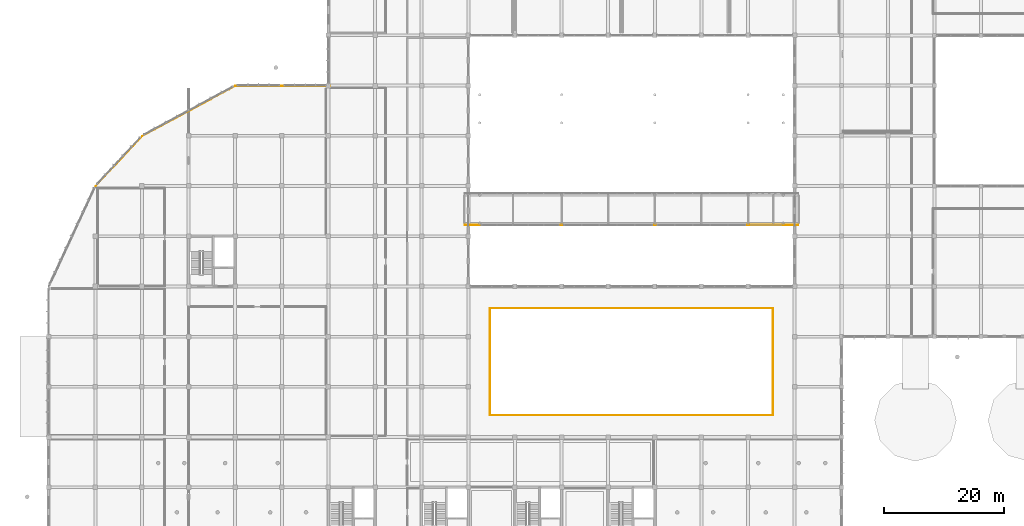
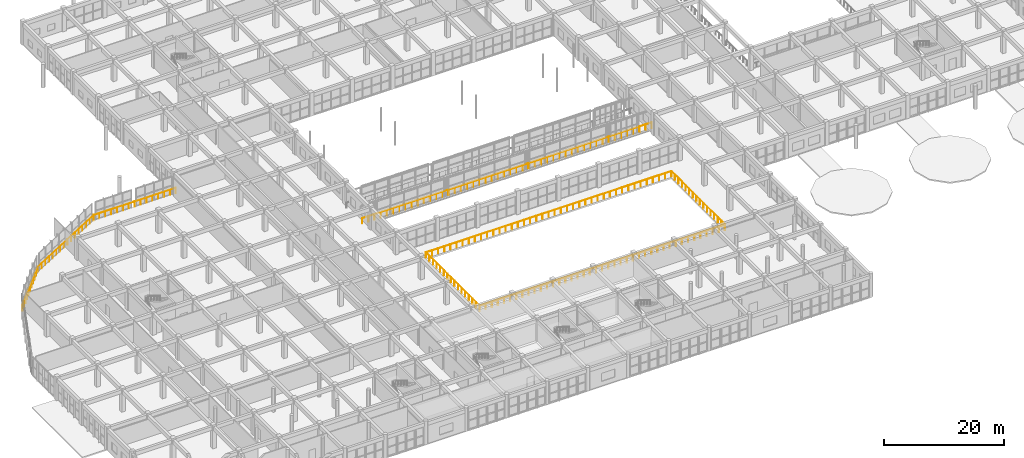
# One storey, part 172 of 175: 8 railings.
"""IFC4 building model written with IfcOpenShell, lengths in metres."""

from ifc_helpers import new_model, si_unit, direction, frame, origin, origin_2d, place, context, subcontext, project, spatial, hollow_rectangle, circle, extrude, material, material_profile, profile_set, type_object, element, save


model = new_model("IFC4")

# Units and contexts
model_context = context("Model", 3, precision=1e-05, world=origin(), true_north=direction((0.0, 1.0)))
body_context = subcontext(model_context, "Body", "Model", "MODEL_VIEW")
ifc_project = project(units=[si_unit("LENGTHUNIT", "METRE"), si_unit("AREAUNIT", "SQUARE_METRE"), si_unit("VOLUMEUNIT", "CUBIC_METRE"), si_unit("PLANEANGLEUNIT", "RADIAN"), si_unit("MASSUNIT", "GRAM", prefix="KILO")], contexts=[model_context])

# Site, building, storey
site_placement = place(None, origin())
site = spatial("IfcSite", under=ifc_project, at=site_placement, CompositionType="ELEMENT")
building_placement = place(site_placement, origin())
building = spatial("IfcBuilding", under=site, at=building_placement, Name="Zizhar Promenade General Hospital", CompositionType="ELEMENT")
storey_placement = place(building_placement, frame((0.0, 0.0, 4.800048828125)))
storey = spatial("IfcBuildingStorey", under=building, at=storey_placement, Name="L01", CompositionType="ELEMENT", Elevation=4.800048828125)

# Railings
ifc_material_1 = material(Name="Anodised aluminium 6063-T6 and glass", Category="aluminium")
ifc_material_profile_1 = material_profile(ifc_material_1, hollow_rectangle(XDim=0.06005859375, YDim=0.1201171875, WallThickness=0.00390625, at=origin_2d()))
ifc_profile_set_1 = profile_set([ifc_material_profile_1], Name="Anodised aluminium 6063-T6 and glass")
railing_type_1 = type_object("IfcRailingType", Name="RL-ATRIUM-GUARD-1150", PredefinedType="GUARDRAIL", material=ifc_profile_set_1)
railing_1_placement = place(storey_placement, frame((73.85009765625, 28.85009765625, 0.0)))
element("IfcRailing", 1, at=railing_1_placement, inside=storey, type_object=railing_type_1, Name="Main Hall Atrium Void Guardrail L01-1", PredefinedType="GUARDRAIL", context=body_context, shape_type="SweptSolid", body=[
    extrude(circle(Radius=0.02392578125, at=origin_2d()), frame((0.0, 0.0, 1.1259765625), z_axis=(1.0, 0.0, 0.0), x_axis=(0.0, 1.0, 0.0)), (0.0, 0.0, 1.0), 47.2998046875),
    extrude(circle(Radius=0.02099609375, at=origin_2d()), origin(), (0.0, 0.0, 1.0), 1.101806640625),
    extrude(circle(Radius=0.02099609375, at=origin_2d()), frame((1.1826171875, 0.0, 0.0)), (0.0, 0.0, 1.0), 1.101806640625),
    extrude(circle(Radius=0.02099609375, at=origin_2d()), frame((2.364990234375, 0.0, 0.0)), (0.0, 0.0, 1.0), 1.101806640625),
    extrude(circle(Radius=0.02099609375, at=origin_2d()), frame((3.54736328125, 0.0, 0.0)), (0.0, 0.0, 1.0), 1.101806640625),
    extrude(circle(Radius=0.02099609375, at=origin_2d()), frame((4.72998046875, 0.0, 0.0)), (0.0, 0.0, 1.0), 1.101806640625),
    extrude(circle(Radius=0.02099609375, at=origin_2d()), frame((5.91259765625, 0.0, 0.0)), (0.0, 0.0, 1.0), 1.101806640625),
    extrude(circle(Radius=0.02099609375, at=origin_2d()), frame((7.094970703125, 0.0, 0.0)), (0.0, 0.0, 1.0), 1.101806640625),
    extrude(circle(Radius=0.02099609375, at=origin_2d()), frame((8.27734375, 0.0, 0.0)), (0.0, 0.0, 1.0), 1.101806640625),
    extrude(circle(Radius=0.02099609375, at=origin_2d()), frame((9.4599609375, 0.0, 0.0)), (0.0, 0.0, 1.0), 1.101806640625),
    extrude(circle(Radius=0.02099609375, at=origin_2d()), frame((10.642578125, 0.0, 0.0)), (0.0, 0.0, 1.0), 1.101806640625),
    extrude(circle(Radius=0.02099609375, at=origin_2d()), frame((11.824951171875, 0.0, 0.0)), (0.0, 0.0, 1.0), 1.101806640625),
    extrude(circle(Radius=0.02099609375, at=origin_2d()), frame((13.007568359375, 0.0, 0.0)), (0.0, 0.0, 1.0), 1.101806640625),
    extrude(circle(Radius=0.02099609375, at=origin_2d()), frame((14.18994140625, 0.0, 0.0)), (0.0, 0.0, 1.0), 1.101806640625),
    extrude(circle(Radius=0.02099609375, at=origin_2d()), frame((15.37255859375, 0.0, 0.0)), (0.0, 0.0, 1.0), 1.101806640625),
    extrude(circle(Radius=0.02099609375, at=origin_2d()), frame((16.554931640625, 0.0, 0.0)), (0.0, 0.0, 1.0), 1.101806640625),
    extrude(circle(Radius=0.02099609375, at=origin_2d()), frame((17.7373046875, 0.0, 0.0)), (0.0, 0.0, 1.0), 1.101806640625),
    extrude(circle(Radius=0.02099609375, at=origin_2d()), frame((18.919921875, 0.0, 0.0)), (0.0, 0.0, 1.0), 1.101806640625),
    extrude(circle(Radius=0.02099609375, at=origin_2d()), frame((20.1025390625, 0.0, 0.0)), (0.0, 0.0, 1.0), 1.101806640625),
    extrude(circle(Radius=0.02099609375, at=origin_2d()), frame((21.284912109375, 0.0, 0.0)), (0.0, 0.0, 1.0), 1.101806640625),
    extrude(circle(Radius=0.02099609375, at=origin_2d()), frame((22.46728515625, 0.0, 0.0)), (0.0, 0.0, 1.0), 1.101806640625),
    extrude(circle(Radius=0.02099609375, at=origin_2d()), frame((23.64990234375, 0.0, 0.0)), (0.0, 0.0, 1.0), 1.101806640625),
    extrude(circle(Radius=0.02099609375, at=origin_2d()), frame((24.83251953125, 0.0, 0.0)), (0.0, 0.0, 1.0), 1.101806640625),
    extrude(circle(Radius=0.02099609375, at=origin_2d()), frame((26.014892578125, 0.0, 0.0)), (0.0, 0.0, 1.0), 1.101806640625),
    extrude(circle(Radius=0.02099609375, at=origin_2d()), frame((27.197265625, 0.0, 0.0)), (0.0, 0.0, 1.0), 1.101806640625),
    extrude(circle(Radius=0.02099609375, at=origin_2d()), frame((28.3798828125, 0.0, 0.0)), (0.0, 0.0, 1.0), 1.101806640625),
    extrude(circle(Radius=0.02099609375, at=origin_2d()), frame((29.5625, 0.0, 0.0)), (0.0, 0.0, 1.0), 1.101806640625),
    extrude(circle(Radius=0.02099609375, at=origin_2d()), frame((30.744873046875, 0.0, 0.0)), (0.0, 0.0, 1.0), 1.101806640625),
    extrude(circle(Radius=0.02099609375, at=origin_2d()), frame((31.927490234375, 0.0, 0.0)), (0.0, 0.0, 1.0), 1.101806640625),
    extrude(circle(Radius=0.02099609375, at=origin_2d()), frame((33.10986328125, 0.0, 0.0)), (0.0, 0.0, 1.0), 1.101806640625),
    extrude(circle(Radius=0.02099609375, at=origin_2d()), frame((34.29248046875, 0.0, 0.0)), (0.0, 0.0, 1.0), 1.101806640625),
    extrude(circle(Radius=0.02099609375, at=origin_2d()), frame((35.474853515625, 0.0, 0.0)), (0.0, 0.0, 1.0), 1.101806640625),
    extrude(circle(Radius=0.02099609375, at=origin_2d()), frame((36.6572265625, 0.0, 0.0)), (0.0, 0.0, 1.0), 1.101806640625),
    extrude(circle(Radius=0.02099609375, at=origin_2d()), frame((37.83984375, 0.0, 0.0)), (0.0, 0.0, 1.0), 1.101806640625),
    extrude(circle(Radius=0.02099609375, at=origin_2d()), frame((39.0224609375, 0.0, 0.0)), (0.0, 0.0, 1.0), 1.101806640625),
    extrude(circle(Radius=0.02099609375, at=origin_2d()), frame((40.204833984375, 0.0, 0.0)), (0.0, 0.0, 1.0), 1.101806640625),
    extrude(circle(Radius=0.02099609375, at=origin_2d()), frame((41.38720703125, 0.0, 0.0)), (0.0, 0.0, 1.0), 1.101806640625),
    extrude(circle(Radius=0.02099609375, at=origin_2d()), frame((42.56982421875, 0.0, 0.0)), (0.0, 0.0, 1.0), 1.101806640625),
    extrude(circle(Radius=0.02099609375, at=origin_2d()), frame((43.75244140625, 0.0, 0.0)), (0.0, 0.0, 1.0), 1.101806640625),
    extrude(circle(Radius=0.02099609375, at=origin_2d()), frame((44.934814453125, 0.0, 0.0)), (0.0, 0.0, 1.0), 1.101806640625),
    extrude(circle(Radius=0.02099609375, at=origin_2d()), frame((46.1171875, 0.0, 0.0)), (0.0, 0.0, 1.0), 1.101806640625),
    extrude(circle(Radius=0.02099609375, at=origin_2d()), frame((47.2998046875, 0.0, 0.0)), (0.0, 0.0, 1.0), 1.101806640625),
])
railing_2_placement = place(storey_placement, frame((121.14990234375, 28.85009765625, 0.0)))
element("IfcRailing", 2, at=railing_2_placement, inside=storey, type_object=railing_type_1, Name="Main Hall Atrium Void Guardrail L01-2", PredefinedType="GUARDRAIL", context=body_context, shape_type="SweptSolid", body=[
    extrude(circle(Radius=0.02392578125, at=origin_2d()), frame((0.0, 0.0, 1.1259765625), z_axis=(0.0, 1.0, 0.0), x_axis=(-1.0, 0.0, 0.0)), (0.0, 0.0, 1.0), 17.89990234375),
    extrude(circle(Radius=0.02099609375, at=origin_2d()), origin(), (0.0, 0.0, 1.0), 1.101806640625),
    extrude(circle(Radius=0.02099609375, at=origin_2d()), frame((0.0, 1.193359375, 0.0)), (0.0, 0.0, 1.0), 1.101806640625),
    extrude(circle(Radius=0.02099609375, at=origin_2d()), frame((0.0, 2.38671875, 0.0)), (0.0, 0.0, 1.0), 1.101806640625),
    extrude(circle(Radius=0.02099609375, at=origin_2d()), frame((0.0, 3.580078125, 0.0)), (0.0, 0.0, 1.0), 1.101806640625),
    extrude(circle(Radius=0.02099609375, at=origin_2d()), frame((0.0, 4.773193359375, 0.0)), (0.0, 0.0, 1.0), 1.101806640625),
    extrude(circle(Radius=0.02099609375, at=origin_2d()), frame((0.0, 5.966552734375, 0.0)), (0.0, 0.0, 1.0), 1.101806640625),
    extrude(circle(Radius=0.02099609375, at=origin_2d()), frame((0.0, 7.159912109375, 0.0)), (0.0, 0.0, 1.0), 1.101806640625),
    extrude(circle(Radius=0.02099609375, at=origin_2d()), frame((0.0, 8.353271484375, 0.0)), (0.0, 0.0, 1.0), 1.101806640625),
    extrude(circle(Radius=0.02099609375, at=origin_2d()), frame((0.0, 9.546630859375, 0.0)), (0.0, 0.0, 1.0), 1.101806640625),
    extrude(circle(Radius=0.02099609375, at=origin_2d()), frame((0.0, 10.739990234375, 0.0)), (0.0, 0.0, 1.0), 1.101806640625),
    extrude(circle(Radius=0.02099609375, at=origin_2d()), frame((0.0, 11.933349609375, 0.0)), (0.0, 0.0, 1.0), 1.101806640625),
    extrude(circle(Radius=0.02099609375, at=origin_2d()), frame((0.0, 13.126708984375, 0.0)), (0.0, 0.0, 1.0), 1.101806640625),
    extrude(circle(Radius=0.02099609375, at=origin_2d()), frame((0.0, 14.31982421875, 0.0)), (0.0, 0.0, 1.0), 1.101806640625),
    extrude(circle(Radius=0.02099609375, at=origin_2d()), frame((0.0, 15.51318359375, 0.0)), (0.0, 0.0, 1.0), 1.101806640625),
    extrude(circle(Radius=0.02099609375, at=origin_2d()), frame((0.0, 16.70654296875, 0.0)), (0.0, 0.0, 1.0), 1.101806640625),
    extrude(circle(Radius=0.02099609375, at=origin_2d()), frame((0.0, 17.89990234375, 0.0)), (0.0, 0.0, 1.0), 1.101806640625),
])
railing_3_placement = place(storey_placement, frame((121.14990234375, 46.75, 0.0)))
element("IfcRailing", 3, at=railing_3_placement, inside=storey, type_object=railing_type_1, Name="Main Hall Atrium Void Guardrail L01-3", PredefinedType="GUARDRAIL", context=body_context, shape_type="SweptSolid", body=[
    extrude(circle(Radius=0.02392578125, at=origin_2d()), frame((0.0, 0.0, 1.1259765625), z_axis=(-1.0, 0.0, 0.0), x_axis=(0.0, -1.0, 0.0)), (0.0, 0.0, 1.0), 47.2998046875),
    extrude(circle(Radius=0.02099609375, at=origin_2d()), origin(), (0.0, 0.0, 1.0), 1.101806640625),
    extrude(circle(Radius=0.02099609375, at=origin_2d()), frame((-1.1826171875, 0.0, 0.0)), (0.0, 0.0, 1.0), 1.101806640625),
    extrude(circle(Radius=0.02099609375, at=origin_2d()), frame((-2.364990234375, 0.0, 0.0)), (0.0, 0.0, 1.0), 1.101806640625),
    extrude(circle(Radius=0.02099609375, at=origin_2d()), frame((-3.54736328125, 0.0, 0.0)), (0.0, 0.0, 1.0), 1.101806640625),
    extrude(circle(Radius=0.02099609375, at=origin_2d()), frame((-4.72998046875, 0.0, 0.0)), (0.0, 0.0, 1.0), 1.101806640625),
    extrude(circle(Radius=0.02099609375, at=origin_2d()), frame((-5.91259765625, 0.0, 0.0)), (0.0, 0.0, 1.0), 1.101806640625),
    extrude(circle(Radius=0.02099609375, at=origin_2d()), frame((-7.094970703125, 0.0, 0.0)), (0.0, 0.0, 1.0), 1.101806640625),
    extrude(circle(Radius=0.02099609375, at=origin_2d()), frame((-8.27734375, 0.0, 0.0)), (0.0, 0.0, 1.0), 1.101806640625),
    extrude(circle(Radius=0.02099609375, at=origin_2d()), frame((-9.4599609375, 0.0, 0.0)), (0.0, 0.0, 1.0), 1.101806640625),
    extrude(circle(Radius=0.02099609375, at=origin_2d()), frame((-10.642578125, 0.0, 0.0)), (0.0, 0.0, 1.0), 1.101806640625),
    extrude(circle(Radius=0.02099609375, at=origin_2d()), frame((-11.824951171875, 0.0, 0.0)), (0.0, 0.0, 1.0), 1.101806640625),
    extrude(circle(Radius=0.02099609375, at=origin_2d()), frame((-13.007568359375, 0.0, 0.0)), (0.0, 0.0, 1.0), 1.101806640625),
    extrude(circle(Radius=0.02099609375, at=origin_2d()), frame((-14.18994140625, 0.0, 0.0)), (0.0, 0.0, 1.0), 1.101806640625),
    extrude(circle(Radius=0.02099609375, at=origin_2d()), frame((-15.37255859375, 0.0, 0.0)), (0.0, 0.0, 1.0), 1.101806640625),
    extrude(circle(Radius=0.02099609375, at=origin_2d()), frame((-16.554931640625, 0.0, 0.0)), (0.0, 0.0, 1.0), 1.101806640625),
    extrude(circle(Radius=0.02099609375, at=origin_2d()), frame((-17.7373046875, 0.0, 0.0)), (0.0, 0.0, 1.0), 1.101806640625),
    extrude(circle(Radius=0.02099609375, at=origin_2d()), frame((-18.919921875, 0.0, 0.0)), (0.0, 0.0, 1.0), 1.101806640625),
    extrude(circle(Radius=0.02099609375, at=origin_2d()), frame((-20.1025390625, 0.0, 0.0)), (0.0, 0.0, 1.0), 1.101806640625),
    extrude(circle(Radius=0.02099609375, at=origin_2d()), frame((-21.284912109375, 0.0, 0.0)), (0.0, 0.0, 1.0), 1.101806640625),
    extrude(circle(Radius=0.02099609375, at=origin_2d()), frame((-22.46728515625, 0.0, 0.0)), (0.0, 0.0, 1.0), 1.101806640625),
    extrude(circle(Radius=0.02099609375, at=origin_2d()), frame((-23.64990234375, 0.0, 0.0)), (0.0, 0.0, 1.0), 1.101806640625),
    extrude(circle(Radius=0.02099609375, at=origin_2d()), frame((-24.83251953125, 0.0, 0.0)), (0.0, 0.0, 1.0), 1.101806640625),
    extrude(circle(Radius=0.02099609375, at=origin_2d()), frame((-26.014892578125, 0.0, 0.0)), (0.0, 0.0, 1.0), 1.101806640625),
    extrude(circle(Radius=0.02099609375, at=origin_2d()), frame((-27.197265625, 0.0, 0.0)), (0.0, 0.0, 1.0), 1.101806640625),
    extrude(circle(Radius=0.02099609375, at=origin_2d()), frame((-28.3798828125, 0.0, 0.0)), (0.0, 0.0, 1.0), 1.101806640625),
    extrude(circle(Radius=0.02099609375, at=origin_2d()), frame((-29.5625, 0.0, 0.0)), (0.0, 0.0, 1.0), 1.101806640625),
    extrude(circle(Radius=0.02099609375, at=origin_2d()), frame((-30.744873046875, 0.0, 0.0)), (0.0, 0.0, 1.0), 1.101806640625),
    extrude(circle(Radius=0.02099609375, at=origin_2d()), frame((-31.927490234375, 0.0, 0.0)), (0.0, 0.0, 1.0), 1.101806640625),
    extrude(circle(Radius=0.02099609375, at=origin_2d()), frame((-33.10986328125, 0.0, 0.0)), (0.0, 0.0, 1.0), 1.101806640625),
    extrude(circle(Radius=0.02099609375, at=origin_2d()), frame((-34.29248046875, 0.0, 0.0)), (0.0, 0.0, 1.0), 1.101806640625),
    extrude(circle(Radius=0.02099609375, at=origin_2d()), frame((-35.474853515625, 0.0, 0.0)), (0.0, 0.0, 1.0), 1.101806640625),
    extrude(circle(Radius=0.02099609375, at=origin_2d()), frame((-36.6572265625, 0.0, 0.0)), (0.0, 0.0, 1.0), 1.101806640625),
    extrude(circle(Radius=0.02099609375, at=origin_2d()), frame((-37.83984375, 0.0, 0.0)), (0.0, 0.0, 1.0), 1.101806640625),
    extrude(circle(Radius=0.02099609375, at=origin_2d()), frame((-39.0224609375, 0.0, 0.0)), (0.0, 0.0, 1.0), 1.101806640625),
    extrude(circle(Radius=0.02099609375, at=origin_2d()), frame((-40.204833984375, 0.0, 0.0)), (0.0, 0.0, 1.0), 1.101806640625),
    extrude(circle(Radius=0.02099609375, at=origin_2d()), frame((-41.38720703125, 0.0, 0.0)), (0.0, 0.0, 1.0), 1.101806640625),
    extrude(circle(Radius=0.02099609375, at=origin_2d()), frame((-42.56982421875, 0.0, 0.0)), (0.0, 0.0, 1.0), 1.101806640625),
    extrude(circle(Radius=0.02099609375, at=origin_2d()), frame((-43.75244140625, 0.0, 0.0)), (0.0, 0.0, 1.0), 1.101806640625),
    extrude(circle(Radius=0.02099609375, at=origin_2d()), frame((-44.934814453125, 0.0, 0.0)), (0.0, 0.0, 1.0), 1.101806640625),
    extrude(circle(Radius=0.02099609375, at=origin_2d()), frame((-46.1171875, 0.0, 0.0)), (0.0, 0.0, 1.0), 1.101806640625),
    extrude(circle(Radius=0.02099609375, at=origin_2d()), frame((-47.2998046875, 0.0, 0.0)), (0.0, 0.0, 1.0), 1.101806640625),
])
railing_4_placement = place(storey_placement, frame((73.85009765625, 46.75, 0.0)))
element("IfcRailing", 4, at=railing_4_placement, inside=storey, type_object=railing_type_1, Name="Main Hall Atrium Void Guardrail L01-4", PredefinedType="GUARDRAIL", context=body_context, shape_type="SweptSolid", body=[
    extrude(circle(Radius=0.02392578125, at=origin_2d()), frame((0.0, 0.0, 1.1259765625), z_axis=(0.0, -1.0, 0.0), x_axis=(1.0, 0.0, 0.0)), (0.0, 0.0, 1.0), 17.89990234375),
    extrude(circle(Radius=0.02099609375, at=origin_2d()), origin(), (0.0, 0.0, 1.0), 1.101806640625),
    extrude(circle(Radius=0.02099609375, at=origin_2d()), frame((0.0, -1.193359375, 0.0)), (0.0, 0.0, 1.0), 1.101806640625),
    extrude(circle(Radius=0.02099609375, at=origin_2d()), frame((0.0, -2.38671875, 0.0)), (0.0, 0.0, 1.0), 1.101806640625),
    extrude(circle(Radius=0.02099609375, at=origin_2d()), frame((0.0, -3.580078125, 0.0)), (0.0, 0.0, 1.0), 1.101806640625),
    extrude(circle(Radius=0.02099609375, at=origin_2d()), frame((0.0, -4.773193359375, 0.0)), (0.0, 0.0, 1.0), 1.101806640625),
    extrude(circle(Radius=0.02099609375, at=origin_2d()), frame((0.0, -5.966552734375, 0.0)), (0.0, 0.0, 1.0), 1.101806640625),
    extrude(circle(Radius=0.02099609375, at=origin_2d()), frame((0.0, -7.159912109375, 0.0)), (0.0, 0.0, 1.0), 1.101806640625),
    extrude(circle(Radius=0.02099609375, at=origin_2d()), frame((0.0, -8.353271484375, 0.0)), (0.0, 0.0, 1.0), 1.101806640625),
    extrude(circle(Radius=0.02099609375, at=origin_2d()), frame((0.0, -9.546630859375, 0.0)), (0.0, 0.0, 1.0), 1.101806640625),
    extrude(circle(Radius=0.02099609375, at=origin_2d()), frame((0.0, -10.739990234375, 0.0)), (0.0, 0.0, 1.0), 1.101806640625),
    extrude(circle(Radius=0.02099609375, at=origin_2d()), frame((0.0, -11.933349609375, 0.0)), (0.0, 0.0, 1.0), 1.101806640625),
    extrude(circle(Radius=0.02099609375, at=origin_2d()), frame((0.0, -13.126708984375, 0.0)), (0.0, 0.0, 1.0), 1.101806640625),
    extrude(circle(Radius=0.02099609375, at=origin_2d()), frame((0.0, -14.31982421875, 0.0)), (0.0, 0.0, 1.0), 1.101806640625),
    extrude(circle(Radius=0.02099609375, at=origin_2d()), frame((0.0, -15.51318359375, 0.0)), (0.0, 0.0, 1.0), 1.101806640625),
    extrude(circle(Radius=0.02099609375, at=origin_2d()), frame((0.0, -16.70654296875, 0.0)), (0.0, 0.0, 1.0), 1.101806640625),
    extrude(circle(Radius=0.02099609375, at=origin_2d()), frame((0.0, -17.89990234375, 0.0)), (0.0, 0.0, 1.0), 1.101806640625),
])
ifc_material_2 = material(Name="Steel S355", Category="steel")
ifc_material_profile_2 = material_profile(ifc_material_2, hollow_rectangle(XDim=0.06005859375, YDim=0.1201171875, WallThickness=0.00390625, at=origin_2d()))
ifc_profile_set_2 = profile_set([ifc_material_profile_2], Name="Steel S355")
railing_type_2 = type_object("IfcRailingType", Name="RL-GUARD-EXT-1150", PredefinedType="GUARDRAIL", material=ifc_profile_set_2)
railing_5_placement = place(storey_placement, frame((7.860107421875, 67.14990234375, 0.0)))
element("IfcRailing", 5, at=railing_5_placement, inside=storey, type_object=railing_type_2, Name="Perimeter Safety Guardrail L01-03", PredefinedType="GUARDRAIL", context=body_context, shape_type="SweptSolid", body=[
    extrude(circle(Radius=0.02392578125, at=origin_2d()), frame((0.0, 0.0, 1.1259765625), z_axis=(0.680871152202, 0.732403218247, 0.0), x_axis=(-0.732403218247, 0.680871152202, 0.0)), (0.0, 0.0, 1.0), 11.45556640625),
    extrude(circle(Radius=0.02099609375, at=origin_2d()), origin(), (0.0, 0.0, 1.0), 1.101806640625),
    extrude(circle(Radius=0.02099609375, at=origin_2d()), frame((0.780029296875, 0.839111328125, 0.0)), (0.0, 0.0, 1.0), 1.101806640625),
    extrude(circle(Radius=0.02099609375, at=origin_2d()), frame((1.56005859375, 1.677978515625, 0.0)), (0.0, 0.0, 1.0), 1.101806640625),
    extrude(circle(Radius=0.02099609375, at=origin_2d()), frame((2.33984375, 2.51708984375, 0.0)), (0.0, 0.0, 1.0), 1.101806640625),
    extrude(circle(Radius=0.02099609375, at=origin_2d()), frame((3.119873046875, 3.35595703125, 0.0)), (0.0, 0.0, 1.0), 1.101806640625),
    extrude(circle(Radius=0.02099609375, at=origin_2d()), frame((3.89990234375, 4.195068359375, 0.0)), (0.0, 0.0, 1.0), 1.101806640625),
    extrude(circle(Radius=0.02099609375, at=origin_2d()), frame((4.679931640625, 5.0341796875, 0.0)), (0.0, 0.0, 1.0), 1.101806640625),
    extrude(circle(Radius=0.02099609375, at=origin_2d()), frame((5.4599609375, 5.873046875, 0.0)), (0.0, 0.0, 1.0), 1.101806640625),
    extrude(circle(Radius=0.02099609375, at=origin_2d()), frame((6.23974609375, 6.712158203125, 0.0)), (0.0, 0.0, 1.0), 1.101806640625),
    extrude(circle(Radius=0.02099609375, at=origin_2d()), frame((7.019775390625, 7.551025390625, 0.0)), (0.0, 0.0, 1.0), 1.101806640625),
    extrude(circle(Radius=0.02099609375, at=origin_2d()), frame((7.7998046875, 8.39013671875, 0.0)), (0.0, 0.0, 1.0), 1.101806640625),
])
railing_6_placement = place(storey_placement, frame((15.659912109375, 75.5400390625, 0.0)))
element("IfcRailing", 6, at=railing_6_placement, inside=storey, type_object=railing_type_2, Name="Perimeter Safety Guardrail L01-04", PredefinedType="GUARDRAIL", context=body_context, shape_type="SweptSolid", body=[
    extrude(circle(Radius=0.02392578125, at=origin_2d()), frame((0.0, 0.0, 1.1259765625), z_axis=(0.880438273094, 0.474160782089, 0.0), x_axis=(-0.474160782089, 0.880438273094, 0.0)), (0.0, 0.0, 1.0), 17.673095703125),
    extrude(circle(Radius=0.02099609375, at=origin_2d()), origin(), (0.0, 0.0, 1.0), 1.101806640625),
    extrude(circle(Radius=0.02099609375, at=origin_2d()), frame((1.037353515625, 0.55859375, 0.0)), (0.0, 0.0, 1.0), 1.101806640625),
    extrude(circle(Radius=0.02099609375, at=origin_2d()), frame((2.07470703125, 1.117431640625, 0.0)), (0.0, 0.0, 1.0), 1.101806640625),
    extrude(circle(Radius=0.02099609375, at=origin_2d()), frame((3.112060546875, 1.676025390625, 0.0)), (0.0, 0.0, 1.0), 1.101806640625),
    extrude(circle(Radius=0.02099609375, at=origin_2d()), frame((4.1494140625, 2.234619140625, 0.0)), (0.0, 0.0, 1.0), 1.101806640625),
    extrude(circle(Radius=0.02099609375, at=origin_2d()), frame((5.186767578125, 2.793212890625, 0.0)), (0.0, 0.0, 1.0), 1.101806640625),
    extrude(circle(Radius=0.02099609375, at=origin_2d()), frame((6.22412109375, 3.35205078125, 0.0)), (0.0, 0.0, 1.0), 1.101806640625),
    extrude(circle(Radius=0.02099609375, at=origin_2d()), frame((7.261474609375, 3.91064453125, 0.0)), (0.0, 0.0, 1.0), 1.101806640625),
    extrude(circle(Radius=0.02099609375, at=origin_2d()), frame((8.298583984375, 4.46923828125, 0.0)), (0.0, 0.0, 1.0), 1.101806640625),
    extrude(circle(Radius=0.02099609375, at=origin_2d()), frame((9.3359375, 5.02783203125, 0.0)), (0.0, 0.0, 1.0), 1.101806640625),
    extrude(circle(Radius=0.02099609375, at=origin_2d()), frame((10.373291015625, 5.586669921875, 0.0)), (0.0, 0.0, 1.0), 1.101806640625),
    extrude(circle(Radius=0.02099609375, at=origin_2d()), frame((11.41064453125, 6.145263671875, 0.0)), (0.0, 0.0, 1.0), 1.101806640625),
    extrude(circle(Radius=0.02099609375, at=origin_2d()), frame((12.447998046875, 6.703857421875, 0.0)), (0.0, 0.0, 1.0), 1.101806640625),
    extrude(circle(Radius=0.02099609375, at=origin_2d()), frame((13.4853515625, 7.262451171875, 0.0)), (0.0, 0.0, 1.0), 1.101806640625),
    extrude(circle(Radius=0.02099609375, at=origin_2d()), frame((14.522705078125, 7.8212890625, 0.0)), (0.0, 0.0, 1.0), 1.101806640625),
    extrude(circle(Radius=0.02099609375, at=origin_2d()), frame((15.56005859375, 8.3798828125, 0.0)), (0.0, 0.0, 1.0), 1.101806640625),
])
railing_7_placement = place(storey_placement, frame((31.219970703125, 83.919921875, 0.0)))
element("IfcRailing", 7, at=railing_7_placement, inside=storey, type_object=railing_type_2, Name="Perimeter Safety Guardrail L01-05", PredefinedType="GUARDRAIL", context=body_context, shape_type="SweptSolid", body=[
    extrude(circle(Radius=0.02392578125, at=origin_2d()), frame((0.0, 0.0, 1.1259765625), z_axis=(1.0, 0.0, 0.0), x_axis=(0.0, 1.0, 0.0)), (0.0, 0.0, 1.0), 15.880126953125),
    extrude(circle(Radius=0.02099609375, at=origin_2d()), origin(), (0.0, 0.0, 1.0), 1.101806640625),
    extrude(circle(Radius=0.02099609375, at=origin_2d()), frame((1.13427734375, 0.0, 0.0)), (0.0, 0.0, 1.0), 1.101806640625),
    extrude(circle(Radius=0.02099609375, at=origin_2d()), frame((2.2685546875, 0.0, 0.0)), (0.0, 0.0, 1.0), 1.101806640625),
    extrude(circle(Radius=0.02099609375, at=origin_2d()), frame((3.40283203125, 0.0, 0.0)), (0.0, 0.0, 1.0), 1.101806640625),
    extrude(circle(Radius=0.02099609375, at=origin_2d()), frame((4.537109375, 0.0, 0.0)), (0.0, 0.0, 1.0), 1.101806640625),
    extrude(circle(Radius=0.02099609375, at=origin_2d()), frame((5.67138671875, 0.0, 0.0)), (0.0, 0.0, 1.0), 1.101806640625),
    extrude(circle(Radius=0.02099609375, at=origin_2d()), frame((6.8056640625, 0.0, 0.0)), (0.0, 0.0, 1.0), 1.101806640625),
    extrude(circle(Radius=0.02099609375, at=origin_2d()), frame((7.93994140625, 0.0, 0.0)), (0.0, 0.0, 1.0), 1.101806640625),
    extrude(circle(Radius=0.02099609375, at=origin_2d()), frame((9.074462890625, 0.0, 0.0)), (0.0, 0.0, 1.0), 1.101806640625),
    extrude(circle(Radius=0.02099609375, at=origin_2d()), frame((10.208740234375, 0.0, 0.0)), (0.0, 0.0, 1.0), 1.101806640625),
    extrude(circle(Radius=0.02099609375, at=origin_2d()), frame((11.343017578125, 0.0, 0.0)), (0.0, 0.0, 1.0), 1.101806640625),
    extrude(circle(Radius=0.02099609375, at=origin_2d()), frame((12.477294921875, 0.0, 0.0)), (0.0, 0.0, 1.0), 1.101806640625),
    extrude(circle(Radius=0.02099609375, at=origin_2d()), frame((13.611572265625, 0.0, 0.0)), (0.0, 0.0, 1.0), 1.101806640625),
    extrude(circle(Radius=0.02099609375, at=origin_2d()), frame((14.745849609375, 0.0, 0.0)), (0.0, 0.0, 1.0), 1.101806640625),
    extrude(circle(Radius=0.02099609375, at=origin_2d()), frame((15.880126953125, 0.0, 0.0)), (0.0, 0.0, 1.0), 1.101806640625),
])
railing_8_placement = place(storey_placement, frame((69.60009765625, 60.679931640625, 0.0)))
element("IfcRailing", 8, at=railing_8_placement, inside=storey, type_object=railing_type_2, Name="Perimeter Safety Guardrail L01-01", PredefinedType="GUARDRAIL", context=body_context, shape_type="SweptSolid", body=[
    extrude(circle(Radius=0.02392578125, at=origin_2d()), frame((0.0, 0.0, 1.1259765625), z_axis=(1.0, 0.0, 0.0), x_axis=(0.0, 1.0, 0.0)), (0.0, 0.0, 1.0), 55.7998046875),
    extrude(circle(Radius=0.02099609375, at=origin_2d()), origin(), (0.0, 0.0, 1.0), 1.101806640625),
    extrude(circle(Radius=0.02099609375, at=origin_2d()), frame((1.187255859375, 0.0, 0.0)), (0.0, 0.0, 1.0), 1.101806640625),
    extrude(circle(Radius=0.02099609375, at=origin_2d()), frame((2.37451171875, 0.0, 0.0)), (0.0, 0.0, 1.0), 1.101806640625),
    extrude(circle(Radius=0.02099609375, at=origin_2d()), frame((3.561767578125, 0.0, 0.0)), (0.0, 0.0, 1.0), 1.101806640625),
    extrude(circle(Radius=0.02099609375, at=origin_2d()), frame((4.7490234375, 0.0, 0.0)), (0.0, 0.0, 1.0), 1.101806640625),
    extrude(circle(Radius=0.02099609375, at=origin_2d()), frame((5.93603515625, 0.0, 0.0)), (0.0, 0.0, 1.0), 1.101806640625),
    extrude(circle(Radius=0.02099609375, at=origin_2d()), frame((7.123291015625, 0.0, 0.0)), (0.0, 0.0, 1.0), 1.101806640625),
    extrude(circle(Radius=0.02099609375, at=origin_2d()), frame((8.310546875, 0.0, 0.0)), (0.0, 0.0, 1.0), 1.101806640625),
    extrude(circle(Radius=0.02099609375, at=origin_2d()), frame((9.497802734375, 0.0, 0.0)), (0.0, 0.0, 1.0), 1.101806640625),
    extrude(circle(Radius=0.02099609375, at=origin_2d()), frame((10.68505859375, 0.0, 0.0)), (0.0, 0.0, 1.0), 1.101806640625),
    extrude(circle(Radius=0.02099609375, at=origin_2d()), frame((11.872314453125, 0.0, 0.0)), (0.0, 0.0, 1.0), 1.101806640625),
    extrude(circle(Radius=0.02099609375, at=origin_2d()), frame((13.0595703125, 0.0, 0.0)), (0.0, 0.0, 1.0), 1.101806640625),
    extrude(circle(Radius=0.02099609375, at=origin_2d()), frame((14.246826171875, 0.0, 0.0)), (0.0, 0.0, 1.0), 1.101806640625),
    extrude(circle(Radius=0.02099609375, at=origin_2d()), frame((15.43408203125, 0.0, 0.0)), (0.0, 0.0, 1.0), 1.101806640625),
    extrude(circle(Radius=0.02099609375, at=origin_2d()), frame((16.621337890625, 0.0, 0.0)), (0.0, 0.0, 1.0), 1.101806640625),
    extrude(circle(Radius=0.02099609375, at=origin_2d()), frame((17.808349609375, 0.0, 0.0)), (0.0, 0.0, 1.0), 1.101806640625),
    extrude(circle(Radius=0.02099609375, at=origin_2d()), frame((18.99560546875, 0.0, 0.0)), (0.0, 0.0, 1.0), 1.101806640625),
    extrude(circle(Radius=0.02099609375, at=origin_2d()), frame((20.182861328125, 0.0, 0.0)), (0.0, 0.0, 1.0), 1.101806640625),
    extrude(circle(Radius=0.02099609375, at=origin_2d()), frame((21.3701171875, 0.0, 0.0)), (0.0, 0.0, 1.0), 1.101806640625),
    extrude(circle(Radius=0.02099609375, at=origin_2d()), frame((22.557373046875, 0.0, 0.0)), (0.0, 0.0, 1.0), 1.101806640625),
    extrude(circle(Radius=0.02099609375, at=origin_2d()), frame((23.74462890625, 0.0, 0.0)), (0.0, 0.0, 1.0), 1.101806640625),
    extrude(circle(Radius=0.02099609375, at=origin_2d()), frame((24.931884765625, 0.0, 0.0)), (0.0, 0.0, 1.0), 1.101806640625),
    extrude(circle(Radius=0.02099609375, at=origin_2d()), frame((26.119140625, 0.0, 0.0)), (0.0, 0.0, 1.0), 1.101806640625),
    extrude(circle(Radius=0.02099609375, at=origin_2d()), frame((27.306396484375, 0.0, 0.0)), (0.0, 0.0, 1.0), 1.101806640625),
    extrude(circle(Radius=0.02099609375, at=origin_2d()), frame((28.493408203125, 0.0, 0.0)), (0.0, 0.0, 1.0), 1.101806640625),
    extrude(circle(Radius=0.02099609375, at=origin_2d()), frame((29.6806640625, 0.0, 0.0)), (0.0, 0.0, 1.0), 1.101806640625),
    extrude(circle(Radius=0.02099609375, at=origin_2d()), frame((30.867919921875, 0.0, 0.0)), (0.0, 0.0, 1.0), 1.101806640625),
    extrude(circle(Radius=0.02099609375, at=origin_2d()), frame((32.05517578125, 0.0, 0.0)), (0.0, 0.0, 1.0), 1.101806640625),
    extrude(circle(Radius=0.02099609375, at=origin_2d()), frame((33.242431640625, 0.0, 0.0)), (0.0, 0.0, 1.0), 1.101806640625),
    extrude(circle(Radius=0.02099609375, at=origin_2d()), frame((34.4296875, 0.0, 0.0)), (0.0, 0.0, 1.0), 1.101806640625),
    extrude(circle(Radius=0.02099609375, at=origin_2d()), frame((35.616943359375, 0.0, 0.0)), (0.0, 0.0, 1.0), 1.101806640625),
    extrude(circle(Radius=0.02099609375, at=origin_2d()), frame((36.80419921875, 0.0, 0.0)), (0.0, 0.0, 1.0), 1.101806640625),
    extrude(circle(Radius=0.02099609375, at=origin_2d()), frame((37.991455078125, 0.0, 0.0)), (0.0, 0.0, 1.0), 1.101806640625),
    extrude(circle(Radius=0.02099609375, at=origin_2d()), frame((39.178466796875, 0.0, 0.0)), (0.0, 0.0, 1.0), 1.101806640625),
    extrude(circle(Radius=0.02099609375, at=origin_2d()), frame((40.36572265625, 0.0, 0.0)), (0.0, 0.0, 1.0), 1.101806640625),
    extrude(circle(Radius=0.02099609375, at=origin_2d()), frame((41.552978515625, 0.0, 0.0)), (0.0, 0.0, 1.0), 1.101806640625),
    extrude(circle(Radius=0.02099609375, at=origin_2d()), frame((42.740234375, 0.0, 0.0)), (0.0, 0.0, 1.0), 1.101806640625),
    extrude(circle(Radius=0.02099609375, at=origin_2d()), frame((43.927490234375, 0.0, 0.0)), (0.0, 0.0, 1.0), 1.101806640625),
    extrude(circle(Radius=0.02099609375, at=origin_2d()), frame((45.11474609375, 0.0, 0.0)), (0.0, 0.0, 1.0), 1.101806640625),
    extrude(circle(Radius=0.02099609375, at=origin_2d()), frame((46.302001953125, 0.0, 0.0)), (0.0, 0.0, 1.0), 1.101806640625),
    extrude(circle(Radius=0.02099609375, at=origin_2d()), frame((47.4892578125, 0.0, 0.0)), (0.0, 0.0, 1.0), 1.101806640625),
    extrude(circle(Radius=0.02099609375, at=origin_2d()), frame((48.676513671875, 0.0, 0.0)), (0.0, 0.0, 1.0), 1.101806640625),
    extrude(circle(Radius=0.02099609375, at=origin_2d()), frame((49.86376953125, 0.0, 0.0)), (0.0, 0.0, 1.0), 1.101806640625),
    extrude(circle(Radius=0.02099609375, at=origin_2d()), frame((51.05078125, 0.0, 0.0)), (0.0, 0.0, 1.0), 1.101806640625),
    extrude(circle(Radius=0.02099609375, at=origin_2d()), frame((52.238037109375, 0.0, 0.0)), (0.0, 0.0, 1.0), 1.101806640625),
    extrude(circle(Radius=0.02099609375, at=origin_2d()), frame((53.42529296875, 0.0, 0.0)), (0.0, 0.0, 1.0), 1.101806640625),
    extrude(circle(Radius=0.02099609375, at=origin_2d()), frame((54.612548828125, 0.0, 0.0)), (0.0, 0.0, 1.0), 1.101806640625),
    extrude(circle(Radius=0.02099609375, at=origin_2d()), frame((55.7998046875, 0.0, 0.0)), (0.0, 0.0, 1.0), 1.101806640625),
])

save(model, "model.ifc")
